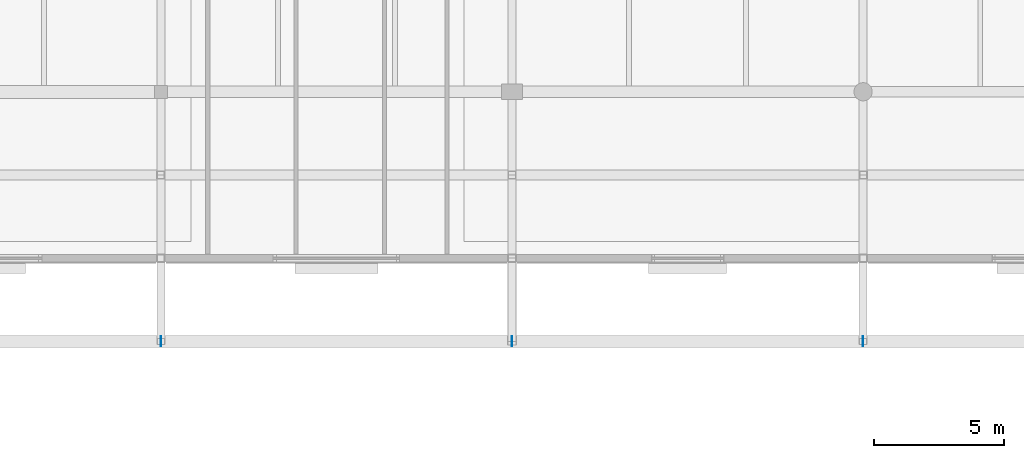
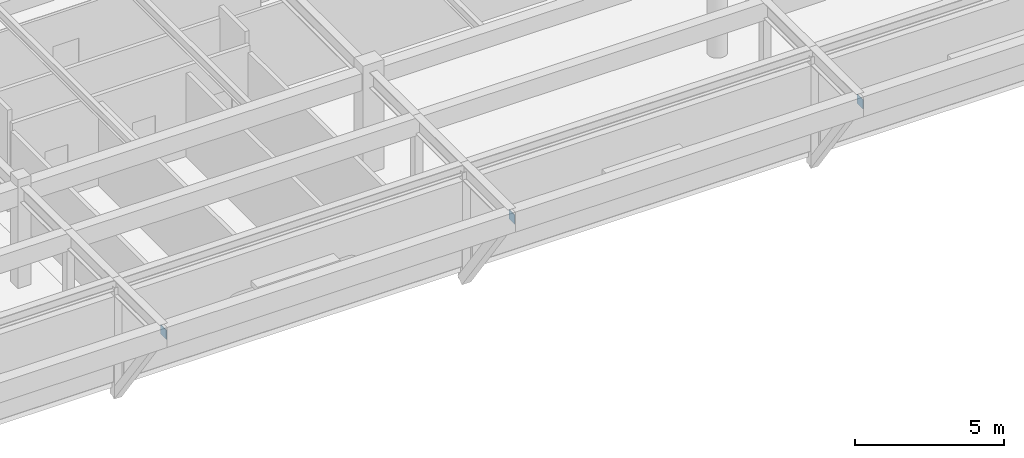
# One storey, part 60 of 80: 3 plates.
"""IFC4 building model written with IfcOpenShell, lengths in metres."""

from ifc_helpers import new_model, si_unit, direction, frame, origin, origin_2d, place, context, subcontext, project, spatial, rectangle, extrude, material, layer, layer_set, type_object, element, save


model = new_model("IFC4")

# Units and contexts
model_context = context("Model", 3, precision=1e-05, world=origin(), true_north=direction((0.0, 1.0)))
body_context = subcontext(model_context, "Body", "Model", "MODEL_VIEW")
ifc_project = project(units=[si_unit("LENGTHUNIT", "METRE"), si_unit("AREAUNIT", "SQUARE_METRE"), si_unit("VOLUMEUNIT", "CUBIC_METRE"), si_unit("PLANEANGLEUNIT", "RADIAN"), si_unit("MASSUNIT", "GRAM", prefix="KILO")], contexts=[model_context])

# Site, building, storey
site_placement = place(None, origin())
site = spatial("IfcSite", under=ifc_project, at=site_placement, CompositionType="ELEMENT")
building_placement = place(site_placement, origin())
building = spatial("IfcBuilding", under=site, at=building_placement, Name="Fikremerkos Civic Library", CompositionType="ELEMENT")
storey_placement = place(building_placement, frame((0.0, 0.0, 9.89990234375)))
storey = spatial("IfcBuildingStorey", under=building, at=storey_placement, Name="L02", CompositionType="ELEMENT", Elevation=9.89990234375)

# Plates
ifc_material = material(Name="Steel S355", Category="steel")
ifc_layer = layer(ifc_material, 0.02490234375, Name="Steel S355")
ifc_layer_set = layer_set([ifc_layer], Name="Steel S355")
plate_type = type_object("IfcPlateType", Name="Steel gusset cap plate GSP-02 380x380x25", PredefinedType="USERDEFINED", material=ifc_layer_set)
for number, where, z_axis, x_axis, name in (
    (1, (32.699951171875, 2.39990234375, 3.645263671875), (0.0, 0.0, 1.0), (1.0, 0.0, 0.0), "Steel gusset cap plate GSP-02 #4"),
    (2, (46.199951171875, 2.39990234375, 3.645263671875), (0.0, 0.0, 1.0), (1.0, 0.0, 0.0), "Steel gusset cap plate GSP-02 #10"),
    (3, (59.699951171875, 2.39990234375, 3.645263671875), (0.0, 0.0, 1.0), (1.0, 0.0, 0.0), "Steel gusset cap plate GSP-02 #16"),
):
    element("IfcPlate", number, at=place(storey_placement, frame(where, z_axis=z_axis, x_axis=x_axis)), inside=storey, type_object=plate_type, Name=name, ObjectType="GUSSET PLATE", PredefinedType="USERDEFINED", context=body_context, shape_type="SweptSolid", body=[
        extrude(rectangle(XDim=0.02490234375, YDim=0.3798828125, at=origin_2d()), origin(), (0.0, 0.0, 1.0), 0.3798828125),
    ])

save(model, "model.ifc")
